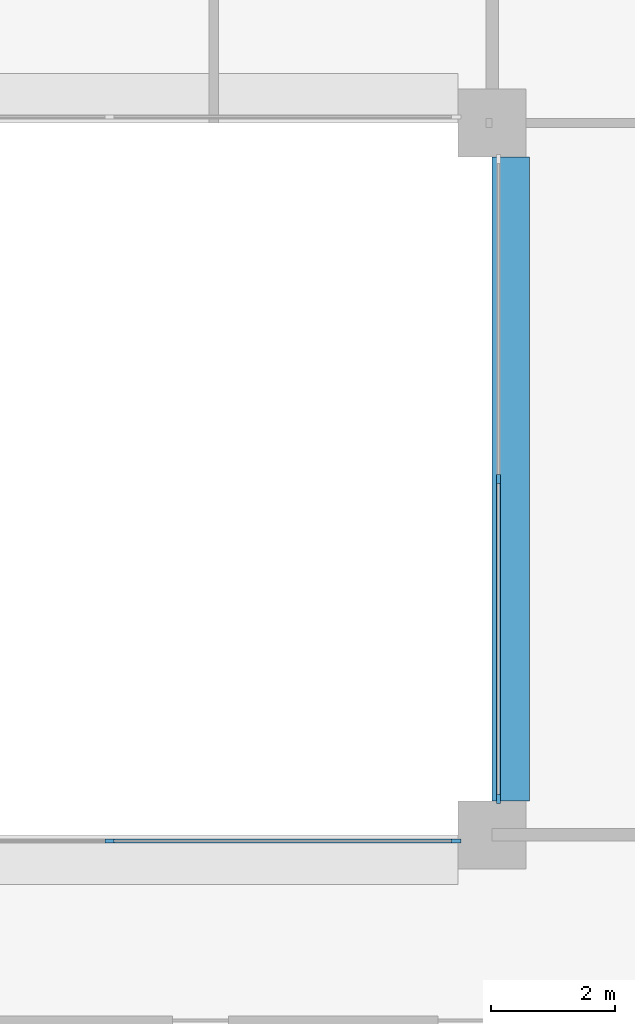
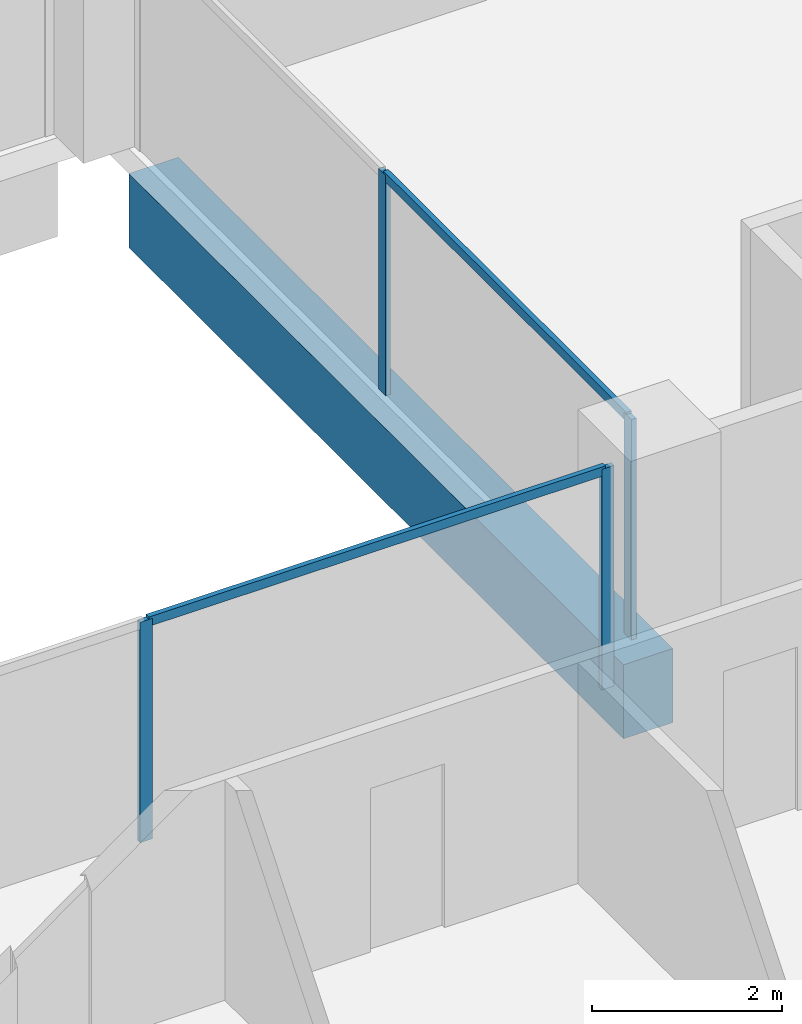
# One storey, part 4 of 15: 6 members, 1 beam, 2 elements without a shape of their own.
"""IFC4 building model written with IfcOpenShell, lengths in metres."""

from ifc_helpers import new_model, si_unit, direction, frame, origin, origin_2d, place, context, subcontext, project, spatial, rectangle, extrude, material, layer, layer_set, material_profile, profile_set, type_object, element, aggregate, save


model = new_model("IFC4")

# Units and contexts
model_context = context("Model", 3, precision=1e-05, world=origin(), true_north=direction((0.0, 1.0)))
body_context = subcontext(model_context, "Body", "Model", "MODEL_VIEW")
ifc_project = project(units=[si_unit("LENGTHUNIT", "METRE"), si_unit("AREAUNIT", "SQUARE_METRE"), si_unit("VOLUMEUNIT", "CUBIC_METRE"), si_unit("PLANEANGLEUNIT", "RADIAN"), si_unit("MASSUNIT", "GRAM", prefix="KILO")], contexts=[model_context])

# Site, building, storey
site_placement = place(None, origin())
site = spatial("IfcSite", under=ifc_project, at=site_placement, CompositionType="ELEMENT")
building_placement = place(site_placement, origin())
building = spatial("IfcBuilding", under=site, at=building_placement, Name="Brigalow Station Residences", CompositionType="ELEMENT")
storey_placement = place(building_placement, frame((0.0, 0.0, 175.949951171875)))
storey = spatial("IfcBuildingStorey", under=building, at=storey_placement, Name="L51", CompositionType="ELEMENT", Elevation=175.949951171875)

# Beam
ifc_material_1 = material(Name="Concrete C65", Category="concrete")
ifc_material_profile_1 = material_profile(ifc_material_1, rectangle(XDim=0.60009765625, YDim=0.949951171875, at=origin_2d()), Name="RC600x950")
ifc_profile_set_1 = profile_set([ifc_material_profile_1], Name="Concrete C65")
beam_type = type_object("IfcBeamType", Name="ATRIUM EDGE GIRDER 600x950 C65", PredefinedType="BEAM", material=ifc_profile_set_1)
beam_placement = place(storey_placement, frame((45.300048828125, 24.550048828125, -0.794921875), z_axis=(0.0, 1.0, 0.0), x_axis=(-1.0, 0.0, 0.0)))
element("IfcBeam", 1, at=beam_placement, inside=storey, type_object=beam_type, Name="ATRIUM EDGE GIRDER 5 L51", PredefinedType="BEAM", context=body_context, shape_type="SweptSolid", body=[
    extrude(rectangle(XDim=0.60009765625, YDim=0.949951171875, at=origin_2d()), origin(), (0.0, 0.0, 1.0), 10.39990234375),
])

# Curtain wall, members
ifc_material_2 = material(Name="Aluminium", Category="aluminium")
ifc_layer = layer(ifc_material_2, 0.14990234375)
ifc_layer_set = layer_set([ifc_layer], Name="ATRIUM FIRE-RATED GLAZING CURTAIN WALL")
curtain_wall_type = type_object("IfcCurtainWallType", Name="ATRIUM FIRE-RATED GLAZING CURTAIN WALL", PredefinedType="NOTDEFINED", material=ifc_layer_set)
curtain_wall_1_placement = place(storey_placement, origin())
curtain_wall_1 = element("IfcCurtainWall", 2, at=curtain_wall_1_placement, inside=storey, type_object=curtain_wall_type, Name="L51/cw/atrium-S", PredefinedType="NOTDEFINED")
ifc_material_3 = material(Name="Aluminium", Category="aluminium")
ifc_material_profile_2 = material_profile(ifc_material_3, rectangle(XDim=0.06005859375, YDim=0.14990234375, at=origin_2d()), Name="ATRIUM FIRE-RATED GLAZING MULLION 60x150")
ifc_profile_set_2 = profile_set([ifc_material_profile_2], Name="Aluminium")
member_type_1 = type_object("IfcMemberType", Name="ATRIUM FIRE-RATED GLAZING MULLION 60x150", PredefinedType="MULLION", material=ifc_profile_set_2)
member_1_placement = place(storey_placement, frame((38.816650390625, 23.89990234375, 0.0), z_axis=(0.0, 0.0, 1.0), x_axis=(0.0, 1.0, 0.0)))
member_1 = element("IfcMember", 3, at=member_1_placement, type_object=member_type_1, Name="L51/cw/atrium-S/M02", PredefinedType="MULLION", context=body_context, shape_type="SweptSolid", body=[
    extrude(rectangle(XDim=0.06005859375, YDim=0.14990234375, at=origin_2d()), origin(), (0.0, 0.0, 1.0), 2.830078125),
])
member_2_placement = place(storey_placement, frame((44.419921875, 23.89990234375, 0.0), z_axis=(0.0, 0.0, 1.0), x_axis=(0.0, 1.0, 0.0)))
member_2 = element("IfcMember", 4, at=member_2_placement, type_object=member_type_1, Name="L51/cw/atrium-S/M03", PredefinedType="MULLION", context=body_context, shape_type="SweptSolid", body=[
    extrude(rectangle(XDim=0.06005859375, YDim=0.14990234375, at=origin_2d()), origin(), (0.0, 0.0, 1.0), 2.830078125),
])

curtain_wall_2_placement = place(storey_placement, origin())
curtain_wall_2 = element("IfcCurtainWall", 5, at=curtain_wall_2_placement, inside=storey, type_object=curtain_wall_type, Name="L51/cw/atrium-E", PredefinedType="NOTDEFINED")
member_3_placement = place(storey_placement, frame((45.10009765625, 24.580078125, 0.0), z_axis=(0.0, 0.0, 1.0), x_axis=(-1.0, 0.0, 0.0)))
member_3 = element("IfcMember", 6, at=member_3_placement, type_object=member_type_1, Name="L51/cw/atrium-E/M00", PredefinedType="MULLION", context=body_context, shape_type="SweptSolid", body=[
    extrude(rectangle(XDim=0.06005859375, YDim=0.14990234375, at=origin_2d()), origin(), (0.0, 0.0, 1.0), 2.830078125),
])
member_4_placement = place(storey_placement, frame((45.10009765625, 29.75, 0.0), z_axis=(0.0, 0.0, 1.0), x_axis=(-1.0, 0.0, 0.0)))
member_4 = element("IfcMember", 7, at=member_4_placement, type_object=member_type_1, Name="L51/cw/atrium-E/M01", PredefinedType="MULLION", context=body_context, shape_type="SweptSolid", body=[
    extrude(rectangle(XDim=0.06005859375, YDim=0.14990234375, at=origin_2d()), origin(), (0.0, 0.0, 1.0), 2.830078125),
])

# Member
ifc_material_4 = material(Name="Aluminium", Category="aluminium")
ifc_material_profile_3 = material_profile(ifc_material_4, rectangle(XDim=0.06005859375, YDim=0.1201171875, at=origin_2d()), Name="ATRIUM FIRE-RATED GLAZING TRANSOM 60x120")
ifc_profile_set_3 = profile_set([ifc_material_profile_3], Name="Aluminium")
member_type_2 = type_object("IfcMemberType", Name="ATRIUM FIRE-RATED GLAZING TRANSOM 60x120", PredefinedType="USERDEFINED", material=ifc_profile_set_3)
member_5_placement = place(storey_placement, frame((38.8466796875, 23.89990234375, 2.800048828125), z_axis=(1.0, 0.0, 0.0), x_axis=(0.0, 1.0, 0.0)))
member_5 = element("IfcMember", 8, at=member_5_placement, type_object=member_type_2, Name="L51/cw/atrium-S/T02-00", ObjectType="TRANSOM", PredefinedType="USERDEFINED", context=body_context, shape_type="SweptSolid", body=[
    extrude(rectangle(XDim=0.06005859375, YDim=0.1201171875, at=origin_2d()), origin(), (0.0, 0.0, 1.0), 5.543212890625),
])

aggregate(curtain_wall_1, [member_1, member_2, member_5])

member_6_placement = place(storey_placement, frame((45.10009765625, 24.610107421875, 2.800048828125), z_axis=(0.0, 1.0, 0.0), x_axis=(-1.0, 0.0, 0.0)))
member_6 = element("IfcMember", 9, at=member_6_placement, type_object=member_type_2, Name="L51/cw/atrium-E/T00-00", ObjectType="TRANSOM", PredefinedType="USERDEFINED", context=body_context, shape_type="SweptSolid", body=[
    extrude(rectangle(XDim=0.06005859375, YDim=0.1201171875, at=origin_2d()), origin(), (0.0, 0.0, 1.0), 5.10986328125),
])

aggregate(curtain_wall_2, [member_3, member_4, member_6])

save(model, "model.ifc")
